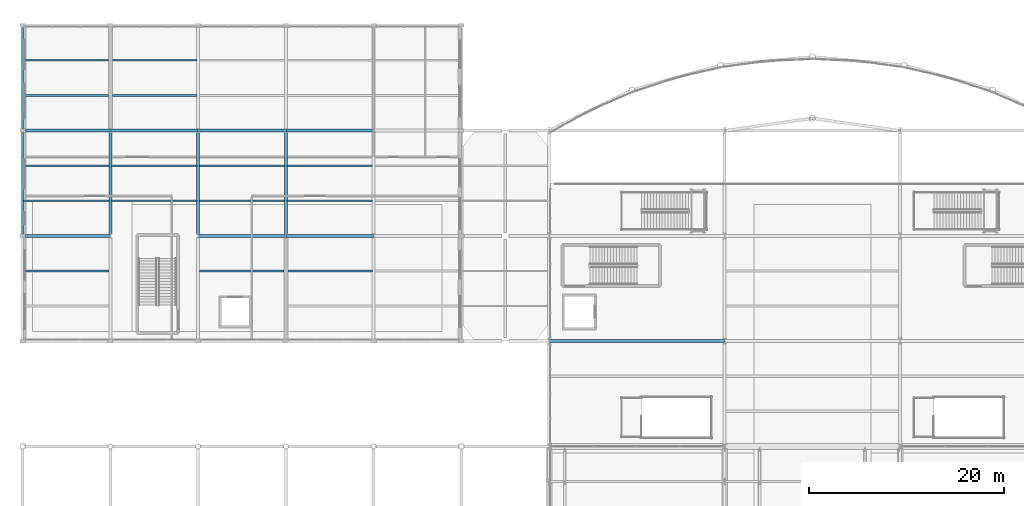
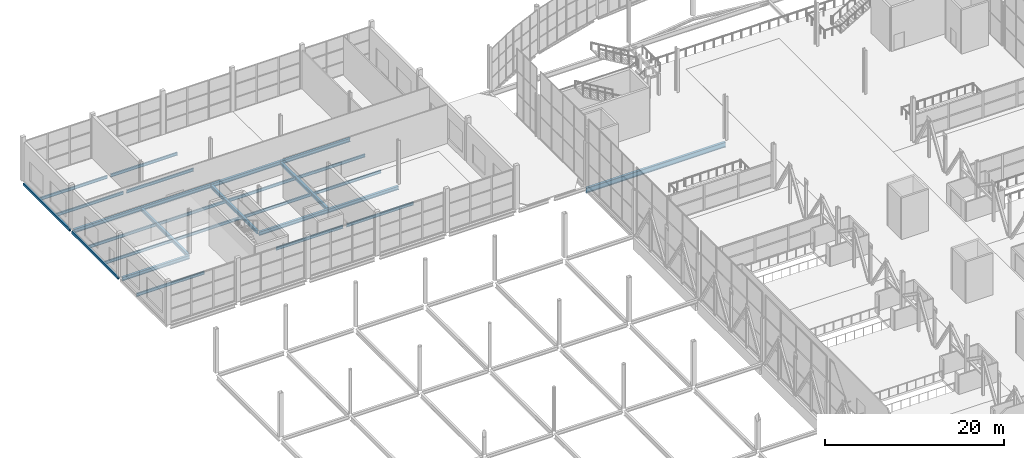
# One storey, part 88 of 191: 28 beams.
"""IFC4 building model written with IfcOpenShell, lengths in metres."""

from ifc_helpers import new_model, si_unit, direction, frame, origin, origin_2d, place, context, subcontext, project, spatial, hollow_rectangle, i_section, extrude, material, material_profile, profile_set, type_object, element, save


model = new_model("IFC4")

# Units and contexts
model_context = context("Model", 3, precision=1e-05, world=origin(), true_north=direction((0.0, 1.0)))
body_context = subcontext(model_context, "Body", "Model", "MODEL_VIEW")
ifc_project = project(units=[si_unit("LENGTHUNIT", "METRE"), si_unit("AREAUNIT", "SQUARE_METRE"), si_unit("VOLUMEUNIT", "CUBIC_METRE"), si_unit("PLANEANGLEUNIT", "RADIAN"), si_unit("MASSUNIT", "GRAM", prefix="KILO")], contexts=[model_context])

# Site, building, storey
site_placement = place(None, origin())
site = spatial("IfcSite", under=ifc_project, at=site_placement, CompositionType="ELEMENT")
building_placement = place(site_placement, origin())
building = spatial("IfcBuilding", under=site, at=building_placement, Name="Tamarisk Ironworks Central Station", CompositionType="ELEMENT")
storey_placement = place(building_placement, frame((0.0, 0.0, 6.60009765625)))
storey = spatial("IfcBuildingStorey", under=building, at=storey_placement, Name="L01", CompositionType="ELEMENT", Elevation=6.60009765625)

# Beams
ifc_material = material(Name="Structural steel S355J2", Category="steel")
ifc_material_profile_1 = material_profile(ifc_material, i_section(OverallWidth=0.179931640625, OverallDepth=0.39990234375, WebThickness=0.008544921875, FlangeThickness=0.013427734375, at=origin_2d()), Name="IPE 400")
ifc_profile_set_1 = profile_set([ifc_material_profile_1], Name="Structural steel S355J2")
beam_type_1 = type_object("IfcBeamType", Name="BM-B04", PredefinedType="BEAM", material=ifc_profile_set_1)
for number, where, z_axis, x_axis, name in (
    (1, (0.0849609375, 97.199951171875, -0.4501953125), (1.0, 0.0, 0.0), (0.0, 1.0, 0.0), "L01 secondary composite beam 0046"),
    (2, (0.0849609375, 104.39990234375, -0.4501953125), (1.0, 0.0, 0.0), (0.0, 1.0, 0.0), "L01 secondary composite beam 0047"),
    (3, (0.0849609375, 108.0, -0.4501953125), (1.0, 0.0, 0.0), (0.0, 1.0, 0.0), "L01 secondary composite beam 0048"),
):
    element("IfcBeam", number, at=place(storey_placement, frame(where, z_axis=z_axis, x_axis=x_axis)), inside=storey, type_object=beam_type_1, Name=name, PredefinedType="BEAM", context=body_context, shape_type="SweptSolid", body=[
        extrude(i_section(OverallWidth=0.179931640625, OverallDepth=0.39990234375, WebThickness=0.008544921875, FlangeThickness=0.013427734375, at=origin_2d()), origin(), (0.0, 0.0, 1.0), 8.780029296875),
    ])
for number, where, z_axis, x_axis, name in (
    (4, (0.0849609375, 115.199951171875, -0.4501953125), (1.0, 0.0, 0.0), (0.0, 1.0, 0.0), "L01 secondary composite beam 0049"),
    (5, (0.0849609375, 118.800048828125, -0.4501953125), (1.0, 0.0, 0.0), (0.0, 1.0, 0.0), "L01 secondary composite beam 0050"),
):
    element("IfcBeam", number, at=place(storey_placement, frame(where, z_axis=z_axis, x_axis=x_axis)), inside=storey, type_object=beam_type_1, Name=name, PredefinedType="BEAM", context=body_context, shape_type="SweptSolid", body=[
        extrude(i_section(OverallWidth=0.179931640625, OverallDepth=0.39990234375, WebThickness=0.008544921875, FlangeThickness=0.013427734375, at=origin_2d()), origin(), (0.0, 0.0, 1.0), 8.715087890625),
    ])
for number, where, z_axis, x_axis, name in (
    (6, (9.135009765625, 104.39990234375, -0.4501953125), (1.0, 0.0, 0.0), (0.0, 1.0, 0.0), "L01 secondary composite beam 0051"),
    (7, (9.135009765625, 108.0, -0.4501953125), (1.0, 0.0, 0.0), (0.0, 1.0, 0.0), "L01 secondary composite beam 0052"),
):
    element("IfcBeam", number, at=place(storey_placement, frame(where, z_axis=z_axis, x_axis=x_axis)), inside=storey, type_object=beam_type_1, Name=name, PredefinedType="BEAM", context=body_context, shape_type="SweptSolid", body=[
        extrude(i_section(OverallWidth=0.179931640625, OverallDepth=0.39990234375, WebThickness=0.008544921875, FlangeThickness=0.013427734375, at=origin_2d()), origin(), (0.0, 0.0, 1.0), 8.72998046875),
    ])
for number, where, z_axis, x_axis, name in (
    (8, (9.199951171875, 115.199951171875, -0.4501953125), (1.0, 0.0, 0.0), (0.0, 1.0, 0.0), "L01 secondary composite beam 0053"),
    (9, (9.199951171875, 118.800048828125, -0.4501953125), (1.0, 0.0, 0.0), (0.0, 1.0, 0.0), "L01 secondary composite beam 0054"),
    (10, (18.135009765625, 97.199951171875, -0.4501953125), (1.0, 0.0, 0.0), (0.0, 1.0, 0.0), "L01 secondary composite beam 0055"),
):
    element("IfcBeam", number, at=place(storey_placement, frame(where, z_axis=z_axis, x_axis=x_axis)), inside=storey, type_object=beam_type_1, Name=name, PredefinedType="BEAM", context=body_context, shape_type="SweptSolid", body=[
        extrude(i_section(OverallWidth=0.179931640625, OverallDepth=0.39990234375, WebThickness=0.008544921875, FlangeThickness=0.013427734375, at=origin_2d()), origin(), (0.0, 0.0, 1.0), 8.6650390625),
    ])
for number, where, z_axis, x_axis, name in (
    (11, (18.135009765625, 104.39990234375, -0.4501953125), (1.0, 0.0, 0.0), (0.0, 1.0, 0.0), "L01 secondary composite beam 0056"),
    (12, (18.135009765625, 108.0, -0.4501953125), (1.0, 0.0, 0.0), (0.0, 1.0, 0.0), "L01 secondary composite beam 0057"),
):
    element("IfcBeam", number, at=place(storey_placement, frame(where, z_axis=z_axis, x_axis=x_axis)), inside=storey, type_object=beam_type_1, Name=name, PredefinedType="BEAM", context=body_context, shape_type="SweptSolid", body=[
        extrude(i_section(OverallWidth=0.179931640625, OverallDepth=0.39990234375, WebThickness=0.008544921875, FlangeThickness=0.013427734375, at=origin_2d()), origin(), (0.0, 0.0, 1.0), 8.72998046875),
    ])
beam_1_placement = place(storey_placement, frame((27.199951171875, 97.199951171875, -0.4501953125), z_axis=(1.0, 0.0, 0.0), x_axis=(0.0, 1.0, 0.0)))
element("IfcBeam", 13, at=beam_1_placement, inside=storey, type_object=beam_type_1, Name="L01 secondary composite beam 0061", PredefinedType="BEAM", context=body_context, shape_type="SweptSolid", body=[
    extrude(i_section(OverallWidth=0.179931640625, OverallDepth=0.39990234375, WebThickness=0.008544921875, FlangeThickness=0.013427734375, at=origin_2d()), origin(), (0.0, 0.0, 1.0), 8.6650390625),
])
for number, where, z_axis, x_axis, name in (
    (14, (27.135009765625, 104.39990234375, -0.4501953125), (1.0, 0.0, 0.0), (0.0, 1.0, 0.0), "L01 secondary composite beam 0062"),
    (15, (27.135009765625, 108.0, -0.4501953125), (1.0, 0.0, 0.0), (0.0, 1.0, 0.0), "L01 secondary composite beam 0063"),
):
    element("IfcBeam", number, at=place(storey_placement, frame(where, z_axis=z_axis, x_axis=x_axis)), inside=storey, type_object=beam_type_1, Name=name, PredefinedType="BEAM", context=body_context, shape_type="SweptSolid", body=[
        extrude(i_section(OverallWidth=0.179931640625, OverallDepth=0.39990234375, WebThickness=0.008544921875, FlangeThickness=0.013427734375, at=origin_2d()), origin(), (0.0, 0.0, 1.0), 8.72998046875),
    ])
ifc_material_profile_2 = material_profile(ifc_material, i_section(OverallWidth=0.300048828125, OverallDepth=0.68994140625, WebThickness=0.014404296875, FlangeThickness=0.027099609375, at=origin_2d()), Name="HEA 700")
ifc_profile_set_2 = profile_set([ifc_material_profile_2], Name="Structural steel S355J2")
beam_type_2 = type_object("IfcBeamType", Name="BM-G01", PredefinedType="BEAM", material=ifc_profile_set_2)
beam_2_placement = place(storey_placement, frame((54.00390625, 90.0, -0.64501953125), z_axis=(1.0, 0.0, 0.0), x_axis=(0.0, 1.0, 0.0)))
element("IfcBeam", 16, at=beam_2_placement, inside=storey, type_object=beam_type_2, Name="L01 primary girder X-0100", PredefinedType="BEAM", context=body_context, shape_type="SweptSolid", body=[
    extrude(i_section(OverallWidth=0.300048828125, OverallDepth=0.68994140625, WebThickness=0.014404296875, FlangeThickness=0.027099609375, at=origin_2d()), origin(), (0.0, 0.0, 1.0), 17.9921875),
])
ifc_material_profile_3 = material_profile(ifc_material, i_section(OverallWidth=0.300048828125, OverallDepth=0.489990234375, WebThickness=0.011962890625, FlangeThickness=0.02294921875, at=origin_2d()), Name="HEA 500")
ifc_profile_set_3 = profile_set([ifc_material_profile_3], Name="Structural steel S355J2")
beam_type_3 = type_object("IfcBeamType", Name="BM-G05", PredefinedType="BEAM", material=ifc_profile_set_3)
beam_3_placement = place(storey_placement, frame((0.31298828125, 100.800048828125, -0.4951171875), z_axis=(1.0, 0.0, 0.0), x_axis=(0.0, 1.0, 0.0)))
element("IfcBeam", 17, at=beam_3_placement, inside=storey, type_object=beam_type_3, Name="L01 primary girder X-0110", PredefinedType="BEAM", context=body_context, shape_type="SweptSolid", body=[
    extrude(i_section(OverallWidth=0.300048828125, OverallDepth=0.489990234375, WebThickness=0.011962890625, FlangeThickness=0.02294921875, at=origin_2d()), origin(), (0.0, 0.0, 1.0), 8.68310546875),
])
for number, where, z_axis, x_axis, name in (
    (18, (18.00390625, 100.800048828125, -0.4951171875), (1.0, 0.0, 0.0), (0.0, 1.0, 0.0), "L01 primary girder X-0111"),
    (19, (27.00390625, 100.800048828125, -0.4951171875), (1.0, 0.0, 0.0), (0.0, 1.0, 0.0), "L01 primary girder X-0112"),
):
    element("IfcBeam", number, at=place(storey_placement, frame(where, z_axis=z_axis, x_axis=x_axis)), inside=storey, type_object=beam_type_3, Name=name, PredefinedType="BEAM", context=body_context, shape_type="SweptSolid", body=[
        extrude(i_section(OverallWidth=0.300048828125, OverallDepth=0.489990234375, WebThickness=0.011962890625, FlangeThickness=0.02294921875, at=origin_2d()), origin(), (0.0, 0.0, 1.0), 8.9921875),
    ])
beam_4_placement = place(storey_placement, frame((0.31298828125, 111.60009765625, -0.4951171875), z_axis=(1.0, 0.0, 0.0), x_axis=(0.0, 1.0, 0.0)))
element("IfcBeam", 20, at=beam_4_placement, inside=storey, type_object=beam_type_3, Name="L01 primary girder X-0126", PredefinedType="BEAM", context=body_context, shape_type="SweptSolid", body=[
    extrude(i_section(OverallWidth=0.300048828125, OverallDepth=0.489990234375, WebThickness=0.011962890625, FlangeThickness=0.02294921875, at=origin_2d()), origin(), (0.0, 0.0, 1.0), 8.68310546875),
])
for number, where, z_axis, x_axis, name in (
    (21, (9.00390625, 111.60009765625, -0.4951171875), (1.0, 0.0, 0.0), (0.0, 1.0, 0.0), "L01 primary girder X-0127"),
    (22, (18.00390625, 111.60009765625, -0.4951171875), (1.0, 0.0, 0.0), (0.0, 1.0, 0.0), "L01 primary girder X-0128"),
    (23, (27.00390625, 111.60009765625, -0.4951171875), (1.0, 0.0, 0.0), (0.0, 1.0, 0.0), "L01 primary girder X-0129"),
):
    element("IfcBeam", number, at=place(storey_placement, frame(where, z_axis=z_axis, x_axis=x_axis)), inside=storey, type_object=beam_type_3, Name=name, PredefinedType="BEAM", context=body_context, shape_type="SweptSolid", body=[
        extrude(i_section(OverallWidth=0.300048828125, OverallDepth=0.489990234375, WebThickness=0.011962890625, FlangeThickness=0.02294921875, at=origin_2d()), origin(), (0.0, 0.0, 1.0), 8.9921875),
    ])
ifc_material_profile_4 = material_profile(ifc_material, i_section(OverallWidth=0.300048828125, OverallDepth=0.43994140625, WebThickness=0.011474609375, FlangeThickness=0.02099609375, at=origin_2d()), Name="HEA 450")
ifc_profile_set_4 = profile_set([ifc_material_profile_4], Name="Structural steel S355J2")
beam_type_4 = type_object("IfcBeamType", Name="BM-G06", PredefinedType="BEAM", material=ifc_profile_set_4)
for number, where, z_axis, x_axis, name in (
    (24, (9.0, 101.012939453125, -0.47021484375), (0.0, 1.0, 0.0), (-1.0, 0.0, 0.0), "L01 primary girder Y-0169"),
    (25, (18.0, 101.012939453125, -0.47021484375), (0.0, 1.0, 0.0), (-1.0, 0.0, 0.0), "L01 primary girder Y-0177"),
    (26, (27.0, 101.012939453125, -0.47021484375), (0.0, 1.0, 0.0), (-1.0, 0.0, 0.0), "L01 primary girder Y-0185"),
):
    element("IfcBeam", number, at=place(storey_placement, frame(where, z_axis=z_axis, x_axis=x_axis)), inside=storey, type_object=beam_type_4, Name=name, PredefinedType="BEAM", context=body_context, shape_type="SweptSolid", body=[
        extrude(i_section(OverallWidth=0.300048828125, OverallDepth=0.43994140625, WebThickness=0.011474609375, FlangeThickness=0.02099609375, at=origin_2d()), origin(), (0.0, 0.0, 1.0), 10.3740234375),
    ])
ifc_material_profile_5 = material_profile(ifc_material, hollow_rectangle(XDim=0.199951171875, YDim=0.35009765625, WallThickness=0.012451171875, at=origin_2d()), Name="RHS 350x200x12.5")
ifc_profile_set_5 = profile_set([ifc_material_profile_5], Name="Structural steel S355J2")
beam_type_5 = type_object("IfcBeamType", Name="BM-SP01", PredefinedType="SPANDREL", material=ifc_profile_set_5)
for number, where, z_axis, x_axis, name in (
    (27, (0.0, 101.012939453125, -0.425048828125), (0.0, 1.0, 0.0), (-1.0, 0.0, 0.0), "L01 primary girder Y-0160"),
    (28, (0.0, 111.81298828125, -0.425048828125), (0.0, 1.0, 0.0), (-1.0, 0.0, 0.0), "L01 primary girder Y-0161"),
):
    element("IfcBeam", number, at=place(storey_placement, frame(where, z_axis=z_axis, x_axis=x_axis)), inside=storey, type_object=beam_type_5, Name=name, PredefinedType="SPANDREL", context=body_context, shape_type="SweptSolid", body=[
        extrude(hollow_rectangle(XDim=0.199951171875, YDim=0.35009765625, WallThickness=0.012451171875, at=origin_2d()), origin(), (0.0, 0.0, 1.0), 10.3740234375),
    ])

save(model, "model.ifc")
